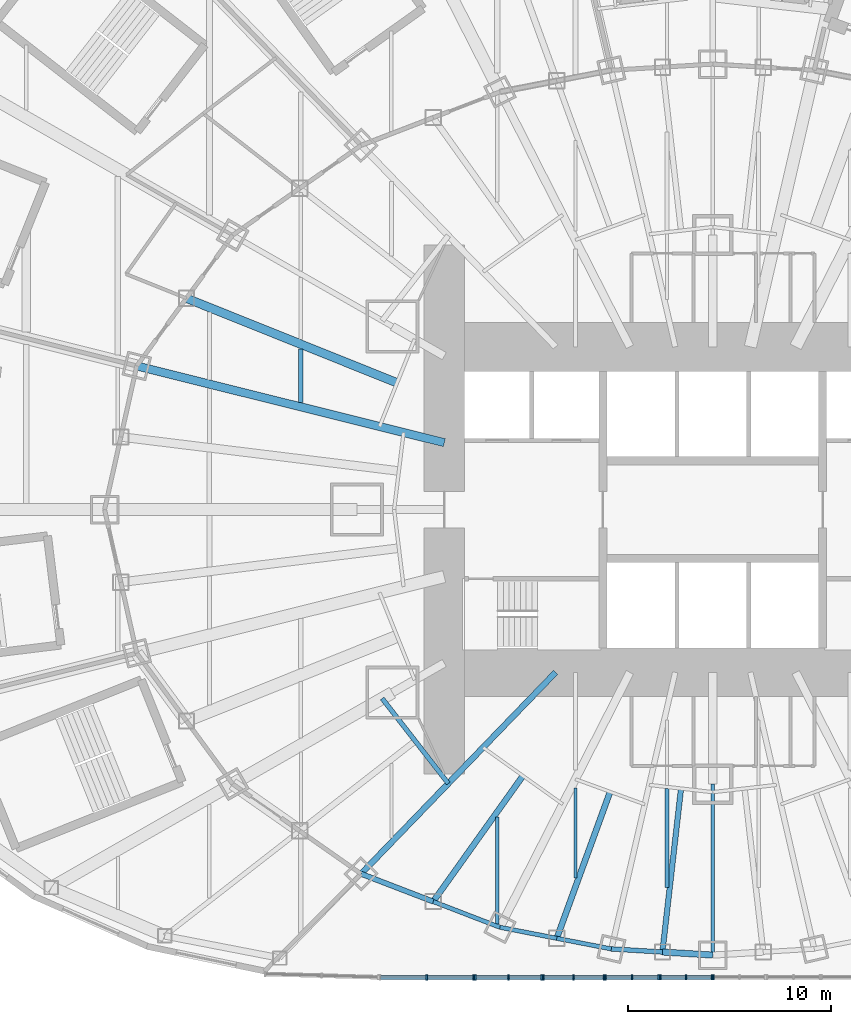
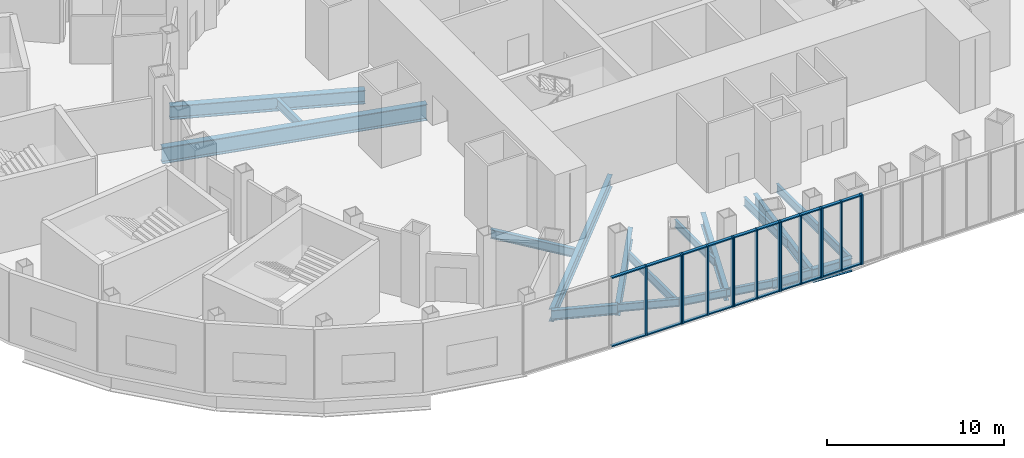
# One storey, part 3 of 73: 35 members, 18 beams, 6 elements without a shape of their own.
"""IFC4 building model written with IfcOpenShell, lengths in metres."""

from ifc_helpers import new_model, si_unit, direction, frame, origin, origin_2d, place, context, subcontext, project, spatial, rectangle, i_section, extrude, material, material_profile, profile_set, type_object, element, aggregate, save


model = new_model("IFC4")

# Units and contexts
model_context = context("Model", 3, precision=1e-05, world=origin(), true_north=direction((0.0, 1.0)))
body_context = subcontext(model_context, "Body", "Model", "MODEL_VIEW")
ifc_project = project(units=[si_unit("LENGTHUNIT", "METRE"), si_unit("AREAUNIT", "SQUARE_METRE"), si_unit("VOLUMEUNIT", "CUBIC_METRE"), si_unit("PLANEANGLEUNIT", "RADIAN"), si_unit("MASSUNIT", "GRAM", prefix="KILO")], contexts=[model_context])

# Site, building, storey
site_placement = place(None, origin())
site = spatial("IfcSite", under=ifc_project, at=site_placement, CompositionType="ELEMENT")
building_placement = place(site_placement, origin())
building = spatial("IfcBuilding", under=site, at=building_placement, Name="Lantaw Convention Tower", CompositionType="ELEMENT")
storey_placement = place(building_placement, frame((0.0, 0.0, 22.0)))
storey = spatial("IfcBuildingStorey", under=building, at=storey_placement, Name="L03", CompositionType="ELEMENT", Elevation=22.0)

# Beams
ifc_material_1 = material(Name="Steel ASTM A992", Category="steel")
ifc_material_profile_1 = material_profile(ifc_material_1, i_section(OverallWidth=0.2099609375, OverallDepth=0.535888671875, WebThickness=0.010986328125, FlangeThickness=0.017333984375, FilletRadius=0.012939453125, at=origin_2d()), Name="W21X68")
ifc_profile_set_1 = profile_set([ifc_material_profile_1], Name="Steel ASTM A992")
beam_type_1 = type_object("IfcBeamType", Name="Beam E W21X68", PredefinedType="SPANDREL", material=ifc_profile_set_1)
beam_1_placement = place(storey_placement, frame((-13.745361328125, -19.270263671875, -0.468017578125), z_axis=(0.933241815012, -0.359248820058, 0.0), x_axis=(0.359248820058, 0.933241815012, 0.0)))
element("IfcBeam", 1, at=beam_1_placement, inside=storey, type_object=beam_type_1, Name="Edge beam 16", PredefinedType="SPANDREL", context=body_context, shape_type="SweptSolid", body=[
    extrude(i_section(OverallWidth=0.2099609375, OverallDepth=0.535888671875, WebThickness=0.010986328125, FlangeThickness=0.017333984375, FilletRadius=0.012939453125, at=origin_2d()), origin(), (0.0, 0.0, 1.0), 3.517578125),
])
beam_2_placement = place(storey_placement, frame((-10.462646484375, -20.533935546875, -0.468017578125), z_axis=(0.98163593748, -0.190763954266, 0.0), x_axis=(0.190763954266, 0.98163593748, 0.0)))
element("IfcBeam", 2, at=beam_2_placement, inside=storey, type_object=beam_type_1, Name="Edge beam 17", PredefinedType="SPANDREL", context=body_context, shape_type="SweptSolid", body=[
    extrude(i_section(OverallWidth=0.2099609375, OverallDepth=0.535888671875, WebThickness=0.010986328125, FlangeThickness=0.017333984375, FilletRadius=0.012939453125, at=origin_2d()), origin(), (0.0, 0.0, 1.0), 2.84375),
])
beam_3_placement = place(storey_placement, frame((-7.671142578125, -21.076416015625, -0.468017578125), z_axis=(0.981637218105, -0.190757364289, 0.0), x_axis=(0.190757364289, 0.981637218105, 0.0)))
element("IfcBeam", 3, at=beam_3_placement, inside=storey, type_object=beam_type_1, Name="Edge beam 17", PredefinedType="SPANDREL", context=body_context, shape_type="SweptSolid", body=[
    extrude(i_section(OverallWidth=0.2099609375, OverallDepth=0.535888671875, WebThickness=0.010986328125, FlangeThickness=0.017333984375, FilletRadius=0.012939453125, at=origin_2d()), origin(), (0.0, 0.0, 1.0), 2.735107421875),
])
ifc_material_profile_2 = material_profile(ifc_material_1, i_section(OverallWidth=0.22900390625, OverallDepth=0.612060546875, WebThickness=0.011962890625, FlangeThickness=0.01953125, FilletRadius=0.0126953125, at=origin_2d()), Name="W24X84")
ifc_profile_set_2 = profile_set([ifc_material_profile_2], Name="Steel ASTM A992")
beam_type_2 = type_object("IfcBeamType", Name="Beam E W24X84", PredefinedType="SPANDREL", material=ifc_profile_set_2)
beam_4_placement = place(storey_placement, frame((-4.986328125, -21.59814453125, -0.506103515625), z_axis=(0.998172405641, -0.060430527186, 0.0), x_axis=(0.060430527186, 0.998172405641, 0.0)))
element("IfcBeam", 4, at=beam_4_placement, inside=storey, type_object=beam_type_2, Name="Edge beam 18", PredefinedType="SPANDREL", context=body_context, shape_type="SweptSolid", body=[
    extrude(i_section(OverallWidth=0.22900390625, OverallDepth=0.612060546875, WebThickness=0.011962890625, FlangeThickness=0.01953125, FilletRadius=0.0126953125, at=origin_2d()), origin(), (0.0, 0.0, 1.0), 2.512939453125),
])
ifc_material_profile_3 = material_profile(ifc_material_1, i_section(OverallWidth=0.256591796875, OverallDepth=0.693359375, WebThickness=0.014404296875, FlangeThickness=0.023681640625, FilletRadius=0.01513671875, at=origin_2d()), Name="W27X114")
ifc_profile_set_3 = profile_set([ifc_material_profile_3], Name="Steel ASTM A992")
beam_type_3 = type_object("IfcBeamType", Name="Beam E W27X114", PredefinedType="SPANDREL", material=ifc_profile_set_3)
beam_5_placement = place(storey_placement, frame((-17.290771484375, -17.9052734375, -0.546630859375), z_axis=(0.933224646415, -0.359293416754, 0.0), x_axis=(0.359293416754, 0.933224646415, 0.0)))
element("IfcBeam", 5, at=beam_5_placement, inside=storey, type_object=beam_type_3, Name="Edge beam 16", PredefinedType="SPANDREL", context=body_context, shape_type="SweptSolid", body=[
    extrude(i_section(OverallWidth=0.256591796875, OverallDepth=0.693359375, WebThickness=0.014404296875, FlangeThickness=0.023681640625, FilletRadius=0.01513671875, at=origin_2d()), origin(), (0.0, 0.0, 1.0), 3.799072265625),
])
ifc_material_profile_4 = material_profile(ifc_material_1, i_section(OverallWidth=0.307373046875, OverallDepth=0.922119140625, WebThickness=0.018310546875, FlangeThickness=0.030029296875, FilletRadius=0.0126953125, at=origin_2d()), Name="W36X182")
ifc_profile_set_4 = profile_set([ifc_material_profile_4], Name="Steel ASTM A992")
beam_type_4 = type_object("IfcBeamType", Name="Beam E W36X182", PredefinedType="SPANDREL", material=ifc_profile_set_4)
beam_6_placement = place(storey_placement, frame((-2.47802734375, -21.75, -0.660888671875), z_axis=(0.998175328335, -0.060382231685, 0.0), x_axis=(0.060382231685, 0.998175328335, 0.0)))
element("IfcBeam", 6, at=beam_6_placement, inside=storey, type_object=beam_type_4, Name="Edge beam 18", PredefinedType="SPANDREL", context=body_context, shape_type="SweptSolid", body=[
    extrude(i_section(OverallWidth=0.307373046875, OverallDepth=0.922119140625, WebThickness=0.018310546875, FlangeThickness=0.030029296875, FilletRadius=0.0126953125, at=origin_2d()), origin(), (0.0, 0.0, 1.0), 2.482666015625),
])
ifc_material_profile_5 = material_profile(ifc_material_1, i_section(OverallWidth=0.177978515625, OverallDepth=0.599365234375, WebThickness=0.010009765625, FlangeThickness=0.012939453125, FilletRadius=0.012939453125, at=origin_2d()), Name="W24X55")
ifc_profile_set_5 = profile_set([ifc_material_profile_5], Name="Steel ASTM A992")
beam_type_5 = type_object("IfcBeamType", Name="Beam G W24X55", PredefinedType="BEAM", material=ifc_profile_set_5)
beam_7_placement = place(storey_placement, frame((0.0, -13.5, -0.499755859375), z_axis=(0.0, -1.0, 0.0), x_axis=(1.0, 0.0, 0.0)))
element("IfcBeam", 7, at=beam_7_placement, inside=storey, type_object=beam_type_5, Name="Floor girder on ray 19", PredefinedType="BEAM", context=body_context, shape_type="SweptSolid", body=[
    extrude(i_section(OverallWidth=0.177978515625, OverallDepth=0.599365234375, WebThickness=0.010009765625, FlangeThickness=0.012939453125, FilletRadius=0.012939453125, at=origin_2d()), origin(), (0.0, 0.0, 1.0), 8.39990234375),
])
ifc_material_profile_6 = material_profile(ifc_material_1, i_section(OverallWidth=0.2666015625, OverallDepth=0.76953125, WebThickness=0.015625, FlangeThickness=0.025390625, FilletRadius=0.0126953125, at=origin_2d()), Name="W30X132")
ifc_profile_set_6 = profile_set([ifc_material_profile_6], Name="Steel ASTM A992")
beam_type_6 = type_object("IfcBeamType", Name="Beam G W30X132", PredefinedType="BEAM", material=ifc_profile_set_6)
beam_8_placement = place(storey_placement, frame((-1.5625, -13.713134765625, -0.584716796875), z_axis=(-0.113183957156, -0.993574049501, 0.0), x_axis=(0.993574049501, -0.113183957156, 0.0)))
element("IfcBeam", 8, at=beam_8_placement, inside=storey, type_object=beam_type_6, Name="Floor girder on bisector 18", PredefinedType="BEAM", context=body_context, shape_type="SweptSolid", body=[
    extrude(i_section(OverallWidth=0.2666015625, OverallDepth=0.76953125, WebThickness=0.015625, FlangeThickness=0.025390625, FilletRadius=0.0126953125, at=origin_2d()), origin(), (0.0, 0.0, 1.0), 8.0888671875),
])
ifc_material_profile_7 = material_profile(ifc_material_1, i_section(OverallWidth=0.2919921875, OverallDepth=0.845703125, WebThickness=0.015380859375, FlangeThickness=0.0244140625, FilletRadius=0.01513671875, at=origin_2d()), Name="W33X141")
ifc_profile_set_7 = profile_set([ifc_material_profile_7], Name="Steel ASTM A992")
beam_type_7 = type_object("IfcBeamType", Name="Beam G W33X141", PredefinedType="BEAM", material=ifc_profile_set_7)
beam_9_placement = place(storey_placement, frame((-7.7255859375, -8.0, -0.622802734375), z_axis=(-0.694649884291, -0.719347995239, 0.0), x_axis=(0.719347995239, -0.694649884291, 0.0)))
element("IfcBeam", 9, at=beam_9_placement, inside=storey, type_object=beam_type_7, Name="Floor girder on ray 16", PredefinedType="BEAM", context=body_context, shape_type="SweptSolid", body=[
    extrude(i_section(OverallWidth=0.2919921875, OverallDepth=0.845703125, WebThickness=0.015380859375, FlangeThickness=0.0244140625, FilletRadius=0.01513671875, at=origin_2d()), origin(), (0.0, 0.0, 1.0), 13.769775390625),
])
beam_10_placement = place(storey_placement, frame((-9.335693359375, -13.088134765625, -0.622802734375), z_axis=(-0.580702805158, -0.814115625745, 0.0), x_axis=(0.814115625745, -0.580702805158, 0.0)))
element("IfcBeam", 10, at=beam_10_placement, inside=storey, type_object=beam_type_7, Name="Floor girder on bisector 16", PredefinedType="BEAM", context=body_context, shape_type="SweptSolid", body=[
    extrude(i_section(OverallWidth=0.2919921875, OverallDepth=0.845703125, WebThickness=0.015380859375, FlangeThickness=0.0244140625, FilletRadius=0.01513671875, at=origin_2d()), origin(), (0.0, 0.0, 1.0), 7.59375),
])
beam_11_placement = place(storey_placement, frame((-5.04931640625, -13.873046875, -0.622802734375), z_axis=(-0.342021781151, -0.939692024664, 0.0), x_axis=(0.939692024664, -0.342021781151, 0.0)))
element("IfcBeam", 11, at=beam_11_placement, inside=storey, type_object=beam_type_7, Name="Floor girder on bisector 17", PredefinedType="BEAM", context=body_context, shape_type="SweptSolid", body=[
    extrude(i_section(OverallWidth=0.2919921875, OverallDepth=0.845703125, WebThickness=0.015380859375, FlangeThickness=0.0244140625, FilletRadius=0.01513671875, at=origin_2d()), origin(), (0.0, 0.0, 1.0), 7.665771484375),
])
ifc_material_profile_8 = material_profile(ifc_material_1, i_section(OverallWidth=0.421630859375, OverallDepth=0.937255859375, WebThickness=0.0224609375, FlangeThickness=0.039794921875, FilletRadius=0.02001953125, at=origin_2d()), Name="W36X282")
ifc_profile_set_8 = profile_set([ifc_material_profile_8], Name="Steel ASTM A992")
beam_type_8 = type_object("IfcBeamType", Name="Beam G W36X282", PredefinedType="BEAM", material=ifc_profile_set_8)
beam_12_placement = place(storey_placement, frame((-15.52001953125, 6.23046875, -0.668701171875), z_axis=(-0.928018900171, 0.372533113864, 0.0), x_axis=(-0.372533113864, -0.928018900171, 0.0)))
element("IfcBeam", 12, at=beam_12_placement, inside=storey, type_object=beam_type_8, Name="Floor girder on bisector 11", PredefinedType="BEAM", context=body_context, shape_type="SweptSolid", body=[
    extrude(i_section(OverallWidth=0.421630859375, OverallDepth=0.937255859375, WebThickness=0.0224609375, FlangeThickness=0.039794921875, FilletRadius=0.02001953125, at=origin_2d()), origin(), (0.0, 0.0, 1.0), 11.161376953125),
])
ifc_material_profile_9 = material_profile(ifc_material_1, i_section(OverallWidth=0.40380859375, OverallDepth=1.11767578125, WebThickness=0.026123046875, FlangeThickness=0.044921875, FilletRadius=0.02001953125, at=origin_2d()), Name="W44X335")
ifc_profile_set_9 = profile_set([ifc_material_profile_9], Name="Steel ASTM A992")
beam_type_9 = type_object("IfcBeamType", Name="Beam G W44X335", PredefinedType="BEAM", material=ifc_profile_set_9)
beam_13_placement = place(storey_placement, frame((-13.199951171875, 3.291015625, -0.7587890625), z_axis=(-0.970296233567, 0.241919860957, 0.0), x_axis=(-0.241919860957, -0.970296233567, 0.0)))
element("IfcBeam", 13, at=beam_13_placement, inside=storey, type_object=beam_type_9, Name="Floor girder on ray 12", PredefinedType="BEAM", context=body_context, shape_type="SweptSolid", body=[
    extrude(i_section(OverallWidth=0.40380859375, OverallDepth=1.11767578125, WebThickness=0.026123046875, FlangeThickness=0.044921875, FilletRadius=0.02001953125, at=origin_2d()), origin(), (0.0, 0.0, 1.0), 15.580810546875),
])
ifc_material_profile_10 = material_profile(ifc_material_1, i_section(OverallWidth=0.22900390625, OverallDepth=0.612060546875, WebThickness=0.011962890625, FlangeThickness=0.01953125, FilletRadius=0.0126953125, at=origin_2d()), Name="W24X84")
ifc_profile_set_10 = profile_set([ifc_material_profile_10], Name="Steel ASTM A992")
beam_type_10 = type_object("IfcBeamType", Name="Beam HC W24X84", PredefinedType="BEAM", material=ifc_profile_set_10)
beam_14_placement = place(storey_placement, frame((-16.2529296875, -9.287353515625, -0.506103515625), z_axis=(0.613915067401, -0.789372085913, 0.0), x_axis=(0.789372085913, 0.613915067401, 0.0)))
element("IfcBeam", 14, at=beam_14_placement, inside=storey, type_object=beam_type_10, Name="Collar beam on bisector 15", PredefinedType="BEAM", context=body_context, shape_type="SweptSolid", body=[
    extrude(i_section(OverallWidth=0.22900390625, OverallDepth=0.612060546875, WebThickness=0.011962890625, FlangeThickness=0.01953125, FilletRadius=0.0126953125, at=origin_2d()), origin(), (0.0, 0.0, 1.0), 5.293212890625),
])
ifc_material_profile_11 = material_profile(ifc_material_1, i_section(OverallWidth=0.1650390625, OverallDepth=0.52587890625, WebThickness=0.0087890625, FlangeThickness=0.011474609375, FilletRadius=0.0126953125, at=origin_2d()), Name="W21X44")
ifc_profile_set_11 = profile_set([ifc_material_profile_11], Name="Steel ASTM A992")
beam_type_11 = type_object("IfcBeamType", Name="Beam J W21X44", PredefinedType="JOIST", material=ifc_profile_set_11)
beam_15_placement = place(storey_placement, frame((-6.75, -18.118408203125, -0.462890625), z_axis=(0.0, 1.0, 0.0), x_axis=(-1.0, 0.0, 0.0)))
element("IfcBeam", 15, at=beam_15_placement, inside=storey, type_object=beam_type_11, Name="Floor joist", PredefinedType="JOIST", context=body_context, shape_type="SweptSolid", body=[
    extrude(i_section(OverallWidth=0.1650390625, OverallDepth=0.52587890625, WebThickness=0.0087890625, FlangeThickness=0.011474609375, FilletRadius=0.0126953125, at=origin_2d()), origin(), (0.0, 0.0, 1.0), 4.425048828125),
])
ifc_material_profile_12 = material_profile(ifc_material_1, i_section(OverallWidth=0.177978515625, OverallDepth=0.599365234375, WebThickness=0.010009765625, FlangeThickness=0.012939453125, FilletRadius=0.012939453125, at=origin_2d()), Name="W24X55")
ifc_profile_set_12 = profile_set([ifc_material_profile_12], Name="Steel ASTM A992")
beam_type_12 = type_object("IfcBeamType", Name="Beam J W24X55", PredefinedType="JOIST", material=ifc_profile_set_12)
beam_16_placement = place(storey_placement, frame((-10.60009765625, -20.368408203125, -0.499755859375), z_axis=(0.0, 1.0, 0.0), x_axis=(-1.0, 0.0, 0.0)))
element("IfcBeam", 16, at=beam_16_placement, inside=storey, type_object=beam_type_12, Name="Floor joist", PredefinedType="JOIST", context=body_context, shape_type="SweptSolid", body=[
    extrude(i_section(OverallWidth=0.177978515625, OverallDepth=0.599365234375, WebThickness=0.010009765625, FlangeThickness=0.012939453125, FilletRadius=0.012939453125, at=origin_2d()), origin(), (0.0, 0.0, 1.0), 5.25634765625),
])
beam_17_placement = place(storey_placement, frame((-2.25, -18.570068359375, -0.499755859375), z_axis=(0.0, 1.0, 0.0), x_axis=(-1.0, 0.0, 0.0)))
element("IfcBeam", 17, at=beam_17_placement, inside=storey, type_object=beam_type_12, Name="Floor joist", PredefinedType="JOIST", context=body_context, shape_type="SweptSolid", body=[
    extrude(i_section(OverallWidth=0.177978515625, OverallDepth=0.599365234375, WebThickness=0.010009765625, FlangeThickness=0.012939453125, FilletRadius=0.012939453125, at=origin_2d()), origin(), (0.0, 0.0, 1.0), 4.851806640625),
])
ifc_material_profile_13 = material_profile(ifc_material_1, i_section(OverallWidth=0.227783203125, OverallDepth=0.60205078125, WebThickness=0.010498046875, FlangeThickness=0.014892578125, FilletRadius=0.012939453125, at=origin_2d()), Name="W24X68")
ifc_profile_set_13 = profile_set([ifc_material_profile_13], Name="Steel ASTM A992")
beam_type_13 = type_object("IfcBeamType", Name="Beam J W24X68", PredefinedType="JOIST", material=ifc_profile_set_13)
beam_18_placement = place(storey_placement, frame((-20.25, 5.257080078125, -0.5009765625), z_axis=(0.0, 1.0, 0.0), x_axis=(-1.0, 0.0, 0.0)))
element("IfcBeam", 18, at=beam_18_placement, inside=storey, type_object=beam_type_13, Name="Floor joist", PredefinedType="JOIST", context=body_context, shape_type="SweptSolid", body=[
    extrude(i_section(OverallWidth=0.227783203125, OverallDepth=0.60205078125, WebThickness=0.010498046875, FlangeThickness=0.014892578125, FilletRadius=0.012939453125, at=origin_2d()), origin(), (0.0, 0.0, 1.0), 2.64501953125),
])

# Curtain wall, members
ifc_material_2 = material(Name="Aluminium framed curtain wall", Category="aluminium")
curtain_wall_type = type_object("IfcCurtainWallType", Name="Podium storefront curtain wall, pale aluminium", PredefinedType="USERDEFINED", material=ifc_material_2)
curtain_wall_1_placement = place(storey_placement, origin())
curtain_wall_1 = element("IfcCurtainWall", 19, at=curtain_wall_1_placement, inside=storey, type_object=curtain_wall_type, Name="Podium storefront curtain wall, pale aluminium L03", ObjectType="STOREFRONT", PredefinedType="USERDEFINED")
ifc_material_3 = material(Name="Aluminium 6063-T6", Category="aluminium")
ifc_material_profile_14 = material_profile(ifc_material_3, rectangle(XDim=0.25, YDim=0.080078125, at=origin_2d()), Name="CW-P mullion 80x250")
ifc_profile_set_14 = profile_set([ifc_material_profile_14], Name="Aluminium 6063-T6")
member_type_1 = type_object("IfcMemberType", Name="CW-P mullion 80x250", PredefinedType="MULLION", material=ifc_profile_set_14)
member_1_placement = place(storey_placement, frame((-14.0625, -23.0, 0.0), z_axis=(0.0, 0.0, 1.0), x_axis=(0.0, 1.0, 0.0)))
member_1 = element("IfcMember", 20, at=member_1_placement, type_object=member_type_1, Name="CW-P mullion 2", PredefinedType="MULLION", context=body_context, shape_type="SweptSolid", body=[
    extrude(rectangle(XDim=0.25, YDim=0.080078125, at=origin_2d()), origin(), (0.0, 0.0, 1.0), 4.800048828125),
])
member_2_placement = place(storey_placement, frame((-11.759033203125, -23.0, 0.0), z_axis=(0.0, 0.0, 1.0), x_axis=(0.0, 1.0, 0.0)))
member_2 = element("IfcMember", 21, at=member_2_placement, type_object=member_type_1, Name="CW-P mullion 3", PredefinedType="MULLION", context=body_context, shape_type="SweptSolid", body=[
    extrude(rectangle(XDim=0.25, YDim=0.080078125, at=origin_2d()), origin(), (0.0, 0.0, 1.0), 4.800048828125),
])

curtain_wall_2_placement = place(storey_placement, origin())
curtain_wall_2 = element("IfcCurtainWall", 22, at=curtain_wall_2_placement, inside=storey, type_object=curtain_wall_type, Name="Podium storefront curtain wall, pale aluminium L03", ObjectType="STOREFRONT", PredefinedType="USERDEFINED")
member_3_placement = place(storey_placement, frame((-11.67919921875, -23.0, 0.0), z_axis=(0.0, 0.0, 1.0), x_axis=(0.0, 1.0, 0.0)))
member_3 = element("IfcMember", 23, at=member_3_placement, type_object=member_type_1, Name="CW-P mullion 1", PredefinedType="MULLION", context=body_context, shape_type="SweptSolid", body=[
    extrude(rectangle(XDim=0.25, YDim=0.080078125, at=origin_2d()), origin(), (0.0, 0.0, 1.0), 4.800048828125),
])
member_4_placement = place(storey_placement, frame((-10.045166015625, -23.0, 0.0), z_axis=(0.0, 0.0, 1.0), x_axis=(0.0, 1.0, 0.0)))
member_4 = element("IfcMember", 24, at=member_4_placement, type_object=member_type_1, Name="CW-P mullion 2", PredefinedType="MULLION", context=body_context, shape_type="SweptSolid", body=[
    extrude(rectangle(XDim=0.25, YDim=0.080078125, at=origin_2d()), origin(), (0.0, 0.0, 1.0), 4.800048828125),
])
member_5_placement = place(storey_placement, frame((-8.411376953125, -23.0, 0.0), z_axis=(0.0, 0.0, 1.0), x_axis=(0.0, 1.0, 0.0)))
member_5 = element("IfcMember", 25, at=member_5_placement, type_object=member_type_1, Name="CW-P mullion 3", PredefinedType="MULLION", context=body_context, shape_type="SweptSolid", body=[
    extrude(rectangle(XDim=0.25, YDim=0.080078125, at=origin_2d()), origin(), (0.0, 0.0, 1.0), 4.800048828125),
])

curtain_wall_3_placement = place(storey_placement, origin())
curtain_wall_3 = element("IfcCurtainWall", 26, at=curtain_wall_3_placement, inside=storey, type_object=curtain_wall_type, Name="Podium storefront curtain wall, pale aluminium L03", ObjectType="STOREFRONT", PredefinedType="USERDEFINED")
member_6_placement = place(storey_placement, frame((-8.331298828125, -23.0, 0.0), z_axis=(0.0, 0.0, 1.0), x_axis=(0.0, 1.0, 0.0)))
member_6 = element("IfcMember", 27, at=member_6_placement, type_object=member_type_1, Name="CW-P mullion 1", PredefinedType="MULLION", context=body_context, shape_type="SweptSolid", body=[
    extrude(rectangle(XDim=0.25, YDim=0.080078125, at=origin_2d()), origin(), (0.0, 0.0, 1.0), 4.800048828125),
])
member_7_placement = place(storey_placement, frame((-6.840576171875, -23.0, 0.0), z_axis=(0.0, 0.0, 1.0), x_axis=(0.0, 1.0, 0.0)))
member_7 = element("IfcMember", 28, at=member_7_placement, type_object=member_type_1, Name="CW-P mullion 2", PredefinedType="MULLION", context=body_context, shape_type="SweptSolid", body=[
    extrude(rectangle(XDim=0.25, YDim=0.080078125, at=origin_2d()), origin(), (0.0, 0.0, 1.0), 4.800048828125),
])
member_8_placement = place(storey_placement, frame((-5.349853515625, -23.0, 0.0), z_axis=(0.0, 0.0, 1.0), x_axis=(0.0, 1.0, 0.0)))
member_8 = element("IfcMember", 29, at=member_8_placement, type_object=member_type_1, Name="CW-P mullion 3", PredefinedType="MULLION", context=body_context, shape_type="SweptSolid", body=[
    extrude(rectangle(XDim=0.25, YDim=0.080078125, at=origin_2d()), origin(), (0.0, 0.0, 1.0), 4.800048828125),
])

curtain_wall_4_placement = place(storey_placement, origin())
curtain_wall_4 = element("IfcCurtainWall", 30, at=curtain_wall_4_placement, inside=storey, type_object=curtain_wall_type, Name="Podium storefront curtain wall, pale aluminium L03", ObjectType="STOREFRONT", PredefinedType="USERDEFINED")
member_9_placement = place(storey_placement, frame((-5.27001953125, -23.0, 0.0), z_axis=(0.0, 0.0, 1.0), x_axis=(0.0, 1.0, 0.0)))
member_9 = element("IfcMember", 31, at=member_9_placement, type_object=member_type_1, Name="CW-P mullion 1", PredefinedType="MULLION", context=body_context, shape_type="SweptSolid", body=[
    extrude(rectangle(XDim=0.25, YDim=0.080078125, at=origin_2d()), origin(), (0.0, 0.0, 1.0), 4.800048828125),
])
member_10_placement = place(storey_placement, frame((-3.96533203125, -23.0, 0.0), z_axis=(0.0, 0.0, 1.0), x_axis=(0.0, 1.0, 0.0)))
member_10 = element("IfcMember", 32, at=member_10_placement, type_object=member_type_1, Name="CW-P mullion 2", PredefinedType="MULLION", context=body_context, shape_type="SweptSolid", body=[
    extrude(rectangle(XDim=0.25, YDim=0.080078125, at=origin_2d()), origin(), (0.0, 0.0, 1.0), 4.800048828125),
])
member_11_placement = place(storey_placement, frame((-2.660400390625, -23.0, 0.0), z_axis=(0.0, 0.0, 1.0), x_axis=(0.0, 1.0, 0.0)))
member_11 = element("IfcMember", 33, at=member_11_placement, type_object=member_type_1, Name="CW-P mullion 3", PredefinedType="MULLION", context=body_context, shape_type="SweptSolid", body=[
    extrude(rectangle(XDim=0.25, YDim=0.080078125, at=origin_2d()), origin(), (0.0, 0.0, 1.0), 4.800048828125),
])

curtain_wall_5_placement = place(storey_placement, origin())
curtain_wall_5 = element("IfcCurtainWall", 34, at=curtain_wall_5_placement, inside=storey, type_object=curtain_wall_type, Name="Podium storefront curtain wall, pale aluminium L03", ObjectType="STOREFRONT", PredefinedType="USERDEFINED")
member_12_placement = place(storey_placement, frame((-2.58056640625, -23.0, 0.0), z_axis=(0.0, 0.0, 1.0), x_axis=(0.0, 1.0, 0.0)))
member_12 = element("IfcMember", 35, at=member_12_placement, type_object=member_type_1, Name="CW-P mullion 1", PredefinedType="MULLION", context=body_context, shape_type="SweptSolid", body=[
    extrude(rectangle(XDim=0.25, YDim=0.080078125, at=origin_2d()), origin(), (0.0, 0.0, 1.0), 4.800048828125),
])
member_13_placement = place(storey_placement, frame((-1.310302734375, -23.0, 0.0), z_axis=(0.0, 0.0, 1.0), x_axis=(0.0, 1.0, 0.0)))
member_13 = element("IfcMember", 36, at=member_13_placement, type_object=member_type_1, Name="CW-P mullion 2", PredefinedType="MULLION", context=body_context, shape_type="SweptSolid", body=[
    extrude(rectangle(XDim=0.25, YDim=0.080078125, at=origin_2d()), origin(), (0.0, 0.0, 1.0), 4.800048828125),
])
member_14_placement = place(storey_placement, frame((-0.0400390625, -23.0, 0.0), z_axis=(0.0, 0.0, 1.0), x_axis=(0.0, 1.0, 0.0)))
member_14 = element("IfcMember", 37, at=member_14_placement, type_object=member_type_1, Name="CW-P mullion 3", PredefinedType="MULLION", context=body_context, shape_type="SweptSolid", body=[
    extrude(rectangle(XDim=0.25, YDim=0.080078125, at=origin_2d()), origin(), (0.0, 0.0, 1.0), 4.800048828125),
])

# Curtain wall, member
curtain_wall_6_placement = place(storey_placement, origin())
curtain_wall_6 = element("IfcCurtainWall", 38, at=curtain_wall_6_placement, inside=storey, type_object=curtain_wall_type, Name="Podium storefront curtain wall, pale aluminium L03", ObjectType="STOREFRONT", PredefinedType="USERDEFINED")
member_15_placement = place(storey_placement, frame((0.0400390625, -23.0, 0.0), z_axis=(0.0, 0.0, 1.0), x_axis=(0.0, 1.0, 0.0)))
member_15 = element("IfcMember", 39, at=member_15_placement, type_object=member_type_1, Name="CW-P mullion 1", PredefinedType="MULLION", context=body_context, shape_type="SweptSolid", body=[
    extrude(rectangle(XDim=0.25, YDim=0.080078125, at=origin_2d()), origin(), (0.0, 0.0, 1.0), 4.800048828125),
])
aggregate(curtain_wall_6, [member_15])

# Member
ifc_material_profile_15 = material_profile(ifc_material_3, rectangle(XDim=0.199951171875, YDim=0.080078125, at=origin_2d()), Name="CW-P transom 80x200")
ifc_profile_set_15 = profile_set([ifc_material_profile_15], Name="Aluminium 6063-T6")
member_type_2 = type_object("IfcMemberType", Name="CW-P transom 80x200", PredefinedType="USERDEFINED", material=ifc_profile_set_15)
member_16_placement = place(storey_placement, frame((-16.32568359375, -23.0, 0.0400390625), z_axis=(1.0, 0.0, 0.0), x_axis=(0.0, 1.0, 0.0)))
member_16 = element("IfcMember", 40, at=member_16_placement, type_object=member_type_2, Name="CW-P transom 1.1", ObjectType="TRANSOM", PredefinedType="USERDEFINED", context=body_context, shape_type="SweptSolid", body=[
    extrude(rectangle(XDim=0.199951171875, YDim=0.080078125, at=origin_2d()), origin(), (0.0, 0.0, 1.0), 2.223388671875),
])

member_17_placement = place(storey_placement, frame((-16.32568359375, -23.0, 4.760009765625), z_axis=(1.0, 0.0, 0.0), x_axis=(0.0, 1.0, 0.0)))
member_17 = element("IfcMember", 41, at=member_17_placement, type_object=member_type_2, Name="CW-P transom 1.2", ObjectType="TRANSOM", PredefinedType="USERDEFINED", context=body_context, shape_type="SweptSolid", body=[
    extrude(rectangle(XDim=0.199951171875, YDim=0.080078125, at=origin_2d()), origin(), (0.0, 0.0, 1.0), 2.223388671875),
])

member_18_placement = place(storey_placement, frame((-14.0224609375, -23.0, 0.0400390625), z_axis=(1.0, 0.0, 0.0), x_axis=(0.0, 1.0, 0.0)))
member_18 = element("IfcMember", 42, at=member_18_placement, type_object=member_type_2, Name="CW-P transom 2.1", ObjectType="TRANSOM", PredefinedType="USERDEFINED", context=body_context, shape_type="SweptSolid", body=[
    extrude(rectangle(XDim=0.199951171875, YDim=0.080078125, at=origin_2d()), origin(), (0.0, 0.0, 1.0), 2.223388671875),
])

member_19_placement = place(storey_placement, frame((-14.0224609375, -23.0, 4.760009765625), z_axis=(1.0, 0.0, 0.0), x_axis=(0.0, 1.0, 0.0)))
member_19 = element("IfcMember", 43, at=member_19_placement, type_object=member_type_2, Name="CW-P transom 2.2", ObjectType="TRANSOM", PredefinedType="USERDEFINED", context=body_context, shape_type="SweptSolid", body=[
    extrude(rectangle(XDim=0.199951171875, YDim=0.080078125, at=origin_2d()), origin(), (0.0, 0.0, 1.0), 2.223388671875),
])

aggregate(curtain_wall_1, [member_1, member_2, member_16, member_17, member_18, member_19])

member_20_placement = place(storey_placement, frame((-11.63916015625, -23.0, 0.0400390625), z_axis=(1.0, 0.0, 0.0), x_axis=(0.0, 1.0, 0.0)))
member_20 = element("IfcMember", 44, at=member_20_placement, type_object=member_type_2, Name="CW-P transom 1.1", ObjectType="TRANSOM", PredefinedType="USERDEFINED", context=body_context, shape_type="SweptSolid", body=[
    extrude(rectangle(XDim=0.199951171875, YDim=0.080078125, at=origin_2d()), origin(), (0.0, 0.0, 1.0), 1.553955078125),
])

member_21_placement = place(storey_placement, frame((-11.63916015625, -23.0, 4.760009765625), z_axis=(1.0, 0.0, 0.0), x_axis=(0.0, 1.0, 0.0)))
member_21 = element("IfcMember", 45, at=member_21_placement, type_object=member_type_2, Name="CW-P transom 1.2", ObjectType="TRANSOM", PredefinedType="USERDEFINED", context=body_context, shape_type="SweptSolid", body=[
    extrude(rectangle(XDim=0.199951171875, YDim=0.080078125, at=origin_2d()), origin(), (0.0, 0.0, 1.0), 1.553955078125),
])

member_22_placement = place(storey_placement, frame((-10.005126953125, -23.0, 0.0400390625), z_axis=(1.0, 0.0, 0.0), x_axis=(0.0, 1.0, 0.0)))
member_22 = element("IfcMember", 46, at=member_22_placement, type_object=member_type_2, Name="CW-P transom 2.1", ObjectType="TRANSOM", PredefinedType="USERDEFINED", context=body_context, shape_type="SweptSolid", body=[
    extrude(rectangle(XDim=0.199951171875, YDim=0.080078125, at=origin_2d()), origin(), (0.0, 0.0, 1.0), 1.5537109375),
])

member_23_placement = place(storey_placement, frame((-10.005126953125, -23.0, 4.760009765625), z_axis=(1.0, 0.0, 0.0), x_axis=(0.0, 1.0, 0.0)))
member_23 = element("IfcMember", 47, at=member_23_placement, type_object=member_type_2, Name="CW-P transom 2.2", ObjectType="TRANSOM", PredefinedType="USERDEFINED", context=body_context, shape_type="SweptSolid", body=[
    extrude(rectangle(XDim=0.199951171875, YDim=0.080078125, at=origin_2d()), origin(), (0.0, 0.0, 1.0), 1.5537109375),
])

aggregate(curtain_wall_2, [member_3, member_4, member_5, member_20, member_21, member_22, member_23])

member_24_placement = place(storey_placement, frame((-8.291259765625, -23.0, 0.0400390625), z_axis=(1.0, 0.0, 0.0), x_axis=(0.0, 1.0, 0.0)))
member_24 = element("IfcMember", 48, at=member_24_placement, type_object=member_type_2, Name="CW-P transom 1.1", ObjectType="TRANSOM", PredefinedType="USERDEFINED", context=body_context, shape_type="SweptSolid", body=[
    extrude(rectangle(XDim=0.199951171875, YDim=0.080078125, at=origin_2d()), origin(), (0.0, 0.0, 1.0), 1.41064453125),
])

member_25_placement = place(storey_placement, frame((-8.291259765625, -23.0, 4.760009765625), z_axis=(1.0, 0.0, 0.0), x_axis=(0.0, 1.0, 0.0)))
member_25 = element("IfcMember", 49, at=member_25_placement, type_object=member_type_2, Name="CW-P transom 1.2", ObjectType="TRANSOM", PredefinedType="USERDEFINED", context=body_context, shape_type="SweptSolid", body=[
    extrude(rectangle(XDim=0.199951171875, YDim=0.080078125, at=origin_2d()), origin(), (0.0, 0.0, 1.0), 1.41064453125),
])

member_26_placement = place(storey_placement, frame((-6.800537109375, -23.0, 0.0400390625), z_axis=(1.0, 0.0, 0.0), x_axis=(0.0, 1.0, 0.0)))
member_26 = element("IfcMember", 50, at=member_26_placement, type_object=member_type_2, Name="CW-P transom 2.1", ObjectType="TRANSOM", PredefinedType="USERDEFINED", context=body_context, shape_type="SweptSolid", body=[
    extrude(rectangle(XDim=0.199951171875, YDim=0.080078125, at=origin_2d()), origin(), (0.0, 0.0, 1.0), 1.41064453125),
])

member_27_placement = place(storey_placement, frame((-6.800537109375, -23.0, 4.760009765625), z_axis=(1.0, 0.0, 0.0), x_axis=(0.0, 1.0, 0.0)))
member_27 = element("IfcMember", 51, at=member_27_placement, type_object=member_type_2, Name="CW-P transom 2.2", ObjectType="TRANSOM", PredefinedType="USERDEFINED", context=body_context, shape_type="SweptSolid", body=[
    extrude(rectangle(XDim=0.199951171875, YDim=0.080078125, at=origin_2d()), origin(), (0.0, 0.0, 1.0), 1.41064453125),
])

aggregate(curtain_wall_3, [member_6, member_7, member_8, member_24, member_25, member_26, member_27])

member_28_placement = place(storey_placement, frame((-5.22998046875, -23.0, 0.0400390625), z_axis=(1.0, 0.0, 0.0), x_axis=(0.0, 1.0, 0.0)))
member_28 = element("IfcMember", 52, at=member_28_placement, type_object=member_type_2, Name="CW-P transom 1.1", ObjectType="TRANSOM", PredefinedType="USERDEFINED", context=body_context, shape_type="SweptSolid", body=[
    extrude(rectangle(XDim=0.199951171875, YDim=0.080078125, at=origin_2d()), origin(), (0.0, 0.0, 1.0), 1.224853515625),
])

member_29_placement = place(storey_placement, frame((-5.22998046875, -23.0, 4.760009765625), z_axis=(1.0, 0.0, 0.0), x_axis=(0.0, 1.0, 0.0)))
member_29 = element("IfcMember", 53, at=member_29_placement, type_object=member_type_2, Name="CW-P transom 1.2", ObjectType="TRANSOM", PredefinedType="USERDEFINED", context=body_context, shape_type="SweptSolid", body=[
    extrude(rectangle(XDim=0.199951171875, YDim=0.080078125, at=origin_2d()), origin(), (0.0, 0.0, 1.0), 1.224853515625),
])

member_30_placement = place(storey_placement, frame((-3.92529296875, -23.0, 0.0400390625), z_axis=(1.0, 0.0, 0.0), x_axis=(0.0, 1.0, 0.0)))
member_30 = element("IfcMember", 54, at=member_30_placement, type_object=member_type_2, Name="CW-P transom 2.1", ObjectType="TRANSOM", PredefinedType="USERDEFINED", context=body_context, shape_type="SweptSolid", body=[
    extrude(rectangle(XDim=0.199951171875, YDim=0.080078125, at=origin_2d()), origin(), (0.0, 0.0, 1.0), 1.224853515625),
])

member_31_placement = place(storey_placement, frame((-3.92529296875, -23.0, 4.760009765625), z_axis=(1.0, 0.0, 0.0), x_axis=(0.0, 1.0, 0.0)))
member_31 = element("IfcMember", 55, at=member_31_placement, type_object=member_type_2, Name="CW-P transom 2.2", ObjectType="TRANSOM", PredefinedType="USERDEFINED", context=body_context, shape_type="SweptSolid", body=[
    extrude(rectangle(XDim=0.199951171875, YDim=0.080078125, at=origin_2d()), origin(), (0.0, 0.0, 1.0), 1.224853515625),
])

aggregate(curtain_wall_4, [member_9, member_10, member_11, member_28, member_29, member_30, member_31])

member_32_placement = place(storey_placement, frame((-2.54052734375, -23.0, 0.0400390625), z_axis=(1.0, 0.0, 0.0), x_axis=(0.0, 1.0, 0.0)))
member_32 = element("IfcMember", 56, at=member_32_placement, type_object=member_type_2, Name="CW-P transom 1.1", ObjectType="TRANSOM", PredefinedType="USERDEFINED", context=body_context, shape_type="SweptSolid", body=[
    extrude(rectangle(XDim=0.199951171875, YDim=0.080078125, at=origin_2d()), origin(), (0.0, 0.0, 1.0), 1.190185546875),
])

member_33_placement = place(storey_placement, frame((-2.54052734375, -23.0, 4.760009765625), z_axis=(1.0, 0.0, 0.0), x_axis=(0.0, 1.0, 0.0)))
member_33 = element("IfcMember", 57, at=member_33_placement, type_object=member_type_2, Name="CW-P transom 1.2", ObjectType="TRANSOM", PredefinedType="USERDEFINED", context=body_context, shape_type="SweptSolid", body=[
    extrude(rectangle(XDim=0.199951171875, YDim=0.080078125, at=origin_2d()), origin(), (0.0, 0.0, 1.0), 1.190185546875),
])

member_34_placement = place(storey_placement, frame((-1.270263671875, -23.0, 0.0400390625), z_axis=(1.0, 0.0, 0.0), x_axis=(0.0, 1.0, 0.0)))
member_34 = element("IfcMember", 58, at=member_34_placement, type_object=member_type_2, Name="CW-P transom 2.1", ObjectType="TRANSOM", PredefinedType="USERDEFINED", context=body_context, shape_type="SweptSolid", body=[
    extrude(rectangle(XDim=0.199951171875, YDim=0.080078125, at=origin_2d()), origin(), (0.0, 0.0, 1.0), 1.190185546875),
])

member_35_placement = place(storey_placement, frame((-1.270263671875, -23.0, 4.760009765625), z_axis=(1.0, 0.0, 0.0), x_axis=(0.0, 1.0, 0.0)))
member_35 = element("IfcMember", 59, at=member_35_placement, type_object=member_type_2, Name="CW-P transom 2.2", ObjectType="TRANSOM", PredefinedType="USERDEFINED", context=body_context, shape_type="SweptSolid", body=[
    extrude(rectangle(XDim=0.199951171875, YDim=0.080078125, at=origin_2d()), origin(), (0.0, 0.0, 1.0), 1.190185546875),
])

aggregate(curtain_wall_5, [member_12, member_13, member_14, member_32, member_33, member_34, member_35])

save(model, "model.ifc")
